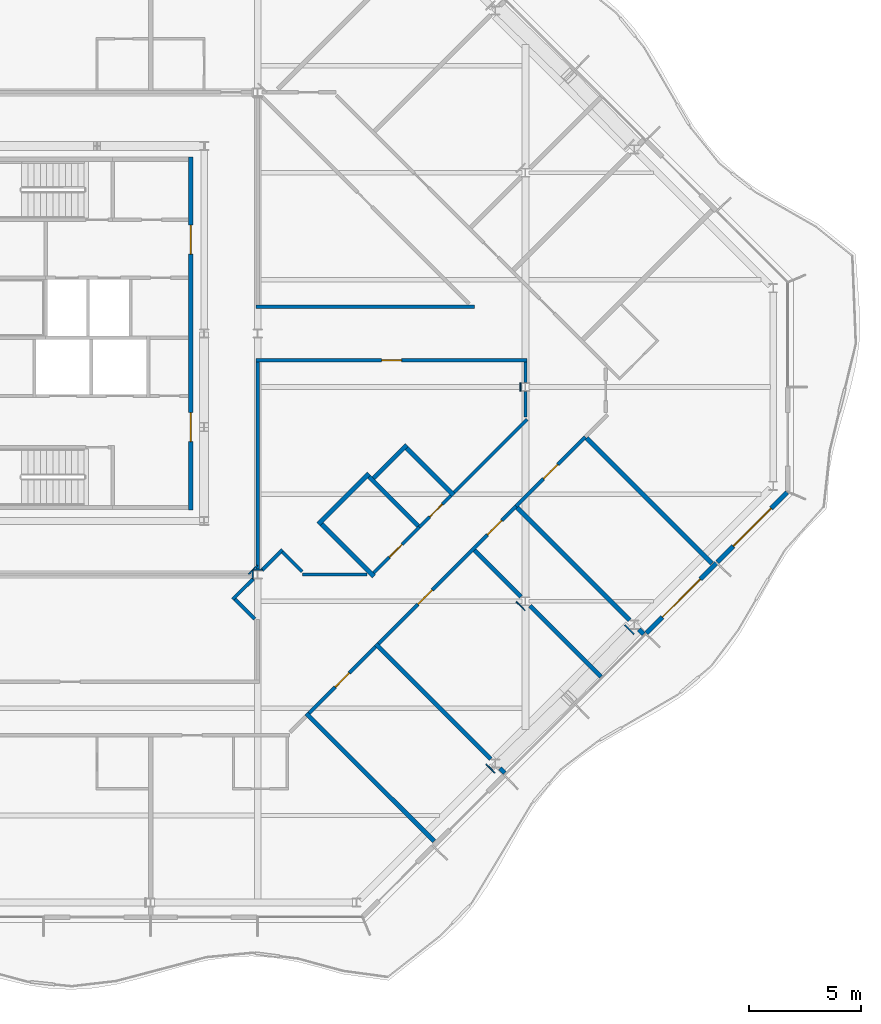
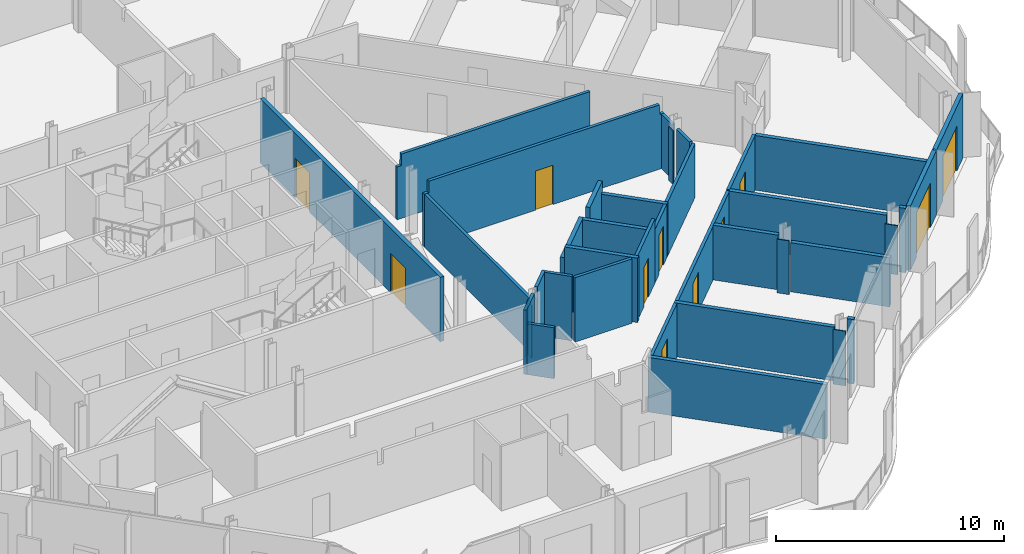
# One storey, part 9 of 17: 39 walls, 11 doors, 11 openings.
"""IFC4 building model written with IfcOpenShell, lengths in metres."""

from ifc_helpers import new_model, si_unit, direction, frame, frame_2d, origin, place, context, subcontext, project, spatial, polyline, rectangle, outline, extrude, material, layer, layer_set, type_object, element, fill, save


model = new_model("IFC4")

# Units and contexts
model_context = context("Model", 3, precision=1e-05, world=origin(), true_north=direction((0.0, 1.0)))
body_context = subcontext(model_context, "Body", "Model", "MODEL_VIEW")
ifc_project = project(units=[si_unit("LENGTHUNIT", "METRE"), si_unit("AREAUNIT", "SQUARE_METRE"), si_unit("VOLUMEUNIT", "CUBIC_METRE"), si_unit("PLANEANGLEUNIT", "RADIAN"), si_unit("MASSUNIT", "GRAM", prefix="KILO")], contexts=[model_context])

# Site, building, storey
site_placement = place(None, origin())
site = spatial("IfcSite", under=ifc_project, at=site_placement, CompositionType="ELEMENT")
building_placement = place(site_placement, origin())
building = spatial("IfcBuilding", under=site, at=building_placement, Name="Cairn Pilgrim Tower", CompositionType="ELEMENT")
storey_placement = place(building_placement, frame((0.0, 0.0, 246.60009765625)))
storey = spatial("IfcBuildingStorey", under=building, at=storey_placement, Name="L63", CompositionType="ELEMENT", Elevation=246.60009765625)

# Wall, opening, door
ifc_material_1 = material(Name="Bronze anodised aluminium insulated sandwich panel with mineral wool fill", Category="aluminium")
ifc_layer_1 = layer(ifc_material_1, 0.199951171875)
ifc_layer_set_1 = layer_set([ifc_layer_1], Name="BRONZE INFILL FRAME WALL 200")
wall_type_1 = type_object("IfcWallType", Name="BRONZE INFILL FRAME WALL 200", PredefinedType="NOTDEFINED", material=ifc_layer_set_1)
wall_1_placement = place(storey_placement, frame((36.6201171875, -11.0263671875, 0.0), z_axis=(0.0, 0.0, 1.0), x_axis=(0.707106781187, 0.707106781187, 0.0)))
wall_1 = element("IfcWall", 1, at=wall_1_placement, inside=storey, type_object=wall_type_1, Name="Bronze infill frame wall IW-SE5", PredefinedType="NOTDEFINED", context=body_context, shape_type="SweptSolid", body=[
    extrude(rectangle(XDim=4.430908203125, YDim=0.199951171875, at=frame_2d((2.21533203125, 0.0))), origin(), (0.0, 0.0, 1.0), 3.449951171875),
])
opening_1_placement = place(wall_1_placement, frame((1.01513671875, 0.0, 0.0)))
opening_1 = element("IfcOpeningElement", 2, at=opening_1_placement, cuts=wall_1, Name="Opening 6305B", PredefinedType="OPENING", context=body_context, shape_type="SweptSolid", body=[
    extrude(rectangle(XDim=2.39990234375, YDim=2.39990234375, at=frame_2d((1.199951171875, 1.199951171875))), frame((0.0, 0.10986328125, 0.0), z_axis=(0.0, -1.0, 0.0), x_axis=(1.0, 0.0, 0.0)), (0.0, 0.0, 1.0), 0.219970703125),
])
ifc_material_2 = material(Name="Bronze anodised aluminium frame with tinted low-E glass", Category="aluminium")
door_type_1 = type_object("IfcDoorType", Name="BALCONY SLIDING DOOR 2400x2400", OperationType="DOUBLE_DOOR_SLIDING", PredefinedType="DOOR", material=ifc_material_2)
door_1_placement = place(opening_1_placement, origin())
door_1 = element("IfcDoor", 3, at=door_1_placement, inside=storey, type_object=door_type_1, Name="Balcony sliding door 6305B", OperationType="SINGLE_SWING_LEFT", OverallHeight=2.39990234375, OverallWidth=2.39990234375, PredefinedType="DOOR", context=body_context, shape_type="SweptSolid", body=[
    extrude(rectangle(XDim=2.39990234375, YDim=2.39990234375, at=frame_2d((1.199951171875, 1.199951171875))), frame((0.0, 0.02490234375, 0.0), z_axis=(0.0, -1.0, 0.0), x_axis=(1.0, 0.0, 0.0)), (0.0, 0.0, 1.0), 0.050048828125),
])
fill(opening_1, door_1)

wall_2_placement = place(storey_placement, frame((39.795654296875, -7.850830078125, 0.0), z_axis=(0.0, 0.0, 1.0), x_axis=(0.707079168996, 0.707134392299, 0.0)))
wall_2 = element("IfcWall", 4, at=wall_2_placement, inside=storey, type_object=wall_type_1, Name="Bronze infill frame wall IW-SE6", PredefinedType="NOTDEFINED", context=body_context, shape_type="SweptSolid", body=[
    extrude(rectangle(XDim=4.4208984375, YDim=0.199951171875, at=frame_2d((2.21044921875, 0.0))), origin(), (0.0, 0.0, 1.0), 3.449951171875),
])
opening_2_placement = place(wall_2_placement, frame((1.015625, 0.0, 0.0)))
opening_2 = element("IfcOpeningElement", 5, at=opening_2_placement, cuts=wall_2, Name="Opening 6306B2", PredefinedType="OPENING", context=body_context, shape_type="SweptSolid", body=[
    extrude(rectangle(XDim=2.39990234375, YDim=2.39990234375, at=frame_2d((1.199951171875, 1.199951171875))), frame((0.0, 0.10986328125, 0.0), z_axis=(0.0, -1.0, 0.0), x_axis=(1.0, 0.0, 0.0)), (0.0, 0.0, 1.0), 0.219970703125),
])
door_2_placement = place(opening_2_placement, origin())
door_2 = element("IfcDoor", 6, at=door_2_placement, inside=storey, type_object=door_type_1, Name="Balcony sliding door 6306B2", OperationType="SINGLE_SWING_LEFT", OverallHeight=2.39990234375, OverallWidth=2.39990234375, PredefinedType="DOOR", context=body_context, shape_type="SweptSolid", body=[
    extrude(rectangle(XDim=2.39990234375, YDim=2.39990234375, at=frame_2d((1.199951171875, 1.199951171875))), frame((0.0, 0.02490234375, 0.0), z_axis=(0.0, -1.0, 0.0), x_axis=(1.0, 0.0, 0.0)), (0.0, 0.0, 1.0), 0.050048828125),
])
fill(opening_2, door_2)

# Wall, openings, doors
ifc_material_3 = material(Name="Concrete C32/40", Category="concrete")
ifc_layer_2 = layer(ifc_material_3, 0.199951171875)
ifc_layer_set_2 = layer_set([ifc_layer_2], Name="CORE OUTER WALL 200 EI 120")
wall_type_2 = type_object("IfcWallType", Name="CORE OUTER WALL 200 EI 120", PredefinedType="SOLIDWALL", material=ifc_layer_set_2)
wall_3_placement = place(storey_placement, frame((16.199951171875, -5.5, 0.0), z_axis=(0.0, 0.0, 1.0), x_axis=(0.0, 1.0, 0.0)))
wall_3 = element("IfcWall", 7, at=wall_3_placement, inside=storey, type_object=wall_type_2, Name="CW:L63:V30", PredefinedType="SOLIDWALL", context=body_context, shape_type="SweptSolid", body=[
    extrude(rectangle(XDim=15.800048828125, YDim=0.199951171875, at=frame_2d((7.89990234375, 0.0))), origin(), (0.0, 0.0, 1.0), 3.449951171875),
])
opening_3_placement = place(wall_3_placement, frame((3.050048828125, 0.0, 0.0)))
opening_3 = element("IfcOpeningElement", 8, at=opening_3_placement, cuts=wall_3, Name="Opening CD-E1", PredefinedType="OPENING", context=body_context, shape_type="SweptSolid", body=[
    extrude(rectangle(XDim=1.300048828125, YDim=2.10009765625, at=frame_2d((0.64990234375, 1.050048828125))), frame((0.0, 0.10986328125, 0.0), z_axis=(0.0, -1.0, 0.0), x_axis=(1.0, 0.0, 0.0)), (0.0, 0.0, 1.0), 0.219970703125),
])
opening_4_placement = place(wall_3_placement, frame((11.449951171875, 0.0, 0.0)))
opening_4 = element("IfcOpeningElement", 9, at=opening_4_placement, cuts=wall_3, Name="Opening CD-E2", PredefinedType="OPENING", context=body_context, shape_type="SweptSolid", body=[
    extrude(rectangle(XDim=1.300048828125, YDim=2.10009765625, at=frame_2d((0.64990234375, 1.050048828125))), frame((0.0, 0.10986328125, 0.0), z_axis=(0.0, -1.0, 0.0), x_axis=(1.0, 0.0, 0.0)), (0.0, 0.0, 1.0), 0.219970703125),
])
ifc_material_4 = material(Name="Painted steel", Category="steel")
door_type_2 = type_object("IfcDoorType", Name="CORE LOBBY DOOR 1300x2100", OperationType="DOUBLE_DOOR_SINGLE_SWING", PredefinedType="DOOR", material=ifc_material_4)
door_3_placement = place(opening_3_placement, origin())
door_3 = element("IfcDoor", 10, at=door_3_placement, inside=storey, type_object=door_type_2, Name="CD-E1", OperationType="DOUBLE_DOOR_SINGLE_SWING", OverallHeight=2.10009765625, OverallWidth=1.300048828125, PredefinedType="DOOR", context=body_context, shape_type="SweptSolid", body=[
    extrude(rectangle(XDim=1.300048828125, YDim=2.10009765625, at=frame_2d((0.64990234375, 1.050048828125))), frame((0.0, 0.02490234375, 0.0), z_axis=(0.0, -1.0, 0.0), x_axis=(1.0, 0.0, 0.0)), (0.0, 0.0, 1.0), 0.050048828125),
])
fill(opening_3, door_3)
door_4_placement = place(opening_4_placement, origin())
door_4 = element("IfcDoor", 11, at=door_4_placement, inside=storey, type_object=door_type_2, Name="CD-E2", OperationType="DOUBLE_DOOR_SINGLE_SWING", OverallHeight=2.10009765625, OverallWidth=1.300048828125, PredefinedType="DOOR", context=body_context, shape_type="SweptSolid", body=[
    extrude(rectangle(XDim=1.300048828125, YDim=2.10009765625, at=frame_2d((0.64990234375, 1.050048828125))), frame((0.0, 0.02490234375, 0.0), z_axis=(0.0, -1.0, 0.0), x_axis=(1.0, 0.0, 0.0)), (0.0, 0.0, 1.0), 0.050048828125),
])
fill(opening_4, door_4)

# Wall, opening, door
ifc_material_5 = material(Name="Gypsum partition")
ifc_layer_3 = layer(ifc_material_5, 0.14990234375)
ifc_layer_set_3 = layer_set([ifc_layer_3], Name="PARTITION 150 DRYWALL EI 60")
wall_type_3 = type_object("IfcWallType", Name="PARTITION 150 DRYWALL EI 60", PredefinedType="PARTITIONING", material=ifc_layer_set_3)
wall_4_placement = place(storey_placement, frame((21.506591796875, -14.6142578125, 0.0), z_axis=(0.0, 0.0, 1.0), x_axis=(0.706990566745, 0.707222976531, 0.0)))
wall_4 = element("IfcWall", 12, at=wall_4_placement, inside=storey, type_object=wall_type_3, Name="PARTITION W013", PredefinedType="PARTITIONING", context=body_context, shape_type="SweptSolid", body=[
    extrude(rectangle(XDim=4.201904296875, YDim=0.14990234375, at=frame_2d((2.10107421875, 0.0))), origin(), (0.0, 0.0, 1.0), 2.8798828125),
])
opening_5_placement = place(wall_4_placement, frame((1.650634765625, 0.0, 0.0)))
opening_5 = element("IfcOpeningElement", 13, at=opening_5_placement, cuts=wall_4, Name="Opening 6302", PredefinedType="OPENING", context=body_context, shape_type="SweptSolid", body=[
    extrude(rectangle(XDim=0.89990234375, YDim=2.10009765625, at=frame_2d((0.449951171875, 1.050048828125))), frame((0.0, 0.0849609375, 0.0), z_axis=(0.0, -1.0, 0.0), x_axis=(1.0, 0.0, 0.0)), (0.0, 0.0, 1.0), 0.169921875),
])
ifc_material_6 = material(Name="Timber door leaf", Category="wood")
door_type_3 = type_object("IfcDoorType", Name="SERVICE DOOR 900x2100 FD30S", OperationType="NOTDEFINED", PredefinedType="DOOR", material=ifc_material_6)
door_5_placement = place(opening_5_placement, frame((0.89990234375, 0.0, 0.0), z_axis=(0.0, 0.0, 1.0), x_axis=(-1.0, 0.0, 0.0)))
door_5 = element("IfcDoor", 14, at=door_5_placement, inside=storey, type_object=door_type_3, Name="DOOR 6302", OperationType="SINGLE_SWING_RIGHT", OverallHeight=2.10009765625, OverallWidth=0.89990234375, PredefinedType="DOOR", context=body_context, shape_type="SweptSolid", body=[
    extrude(rectangle(XDim=0.89990234375, YDim=2.10009765625, at=frame_2d((0.449951171875, 1.050048828125))), frame((0.0, 0.02490234375, 0.0), z_axis=(0.0, -1.0, 0.0), x_axis=(1.0, 0.0, 0.0)), (0.0, 0.0, 1.0), 0.050048828125),
])
fill(opening_5, door_5)

# Wall, openings, doors
wall_5_placement = place(storey_placement, frame((24.61865234375, -11.501220703125, 0.0), z_axis=(0.0, 0.0, 1.0), x_axis=(0.707106781187, 0.707106781187, 0.0)))
wall_5 = element("IfcWall", 15, at=wall_5_placement, inside=storey, type_object=wall_type_3, Name="PARTITION W022", PredefinedType="PARTITIONING", context=body_context, shape_type="SweptSolid", body=[
    extrude(rectangle(XDim=8.7021484375, YDim=0.14990234375, at=frame_2d((4.35107421875, 0.0))), origin(), (0.0, 0.0, 1.0), 2.8798828125),
])
opening_6_placement = place(wall_5_placement, frame((2.4990234375, 0.0, 0.0)))
opening_6 = element("IfcOpeningElement", 16, at=opening_6_placement, cuts=wall_5, Name="Opening 6303", PredefinedType="OPENING", context=body_context, shape_type="SweptSolid", body=[
    extrude(rectangle(XDim=0.89990234375, YDim=2.10009765625, at=frame_2d((0.449951171875, 1.050048828125))), frame((0.0, 0.0849609375, 0.0), z_axis=(0.0, -1.0, 0.0), x_axis=(1.0, 0.0, 0.0)), (0.0, 0.0, 1.0), 0.169921875),
])
opening_7_placement = place(wall_5_placement, frame((6.900146484375, 0.0, 0.0)))
opening_7 = element("IfcOpeningElement", 17, at=opening_7_placement, cuts=wall_5, Name="Opening 6304", PredefinedType="OPENING", context=body_context, shape_type="SweptSolid", body=[
    extrude(rectangle(XDim=0.89990234375, YDim=2.10009765625, at=frame_2d((0.449951171875, 1.050048828125))), frame((0.0, 0.0849609375, 0.0), z_axis=(0.0, -1.0, 0.0), x_axis=(1.0, 0.0, 0.0)), (0.0, 0.0, 1.0), 0.169921875),
])
door_6_placement = place(opening_6_placement, frame((0.89990234375, 0.0, 0.0), z_axis=(0.0, 0.0, 1.0), x_axis=(-1.0, 0.0, 0.0)))
door_6 = element("IfcDoor", 18, at=door_6_placement, inside=storey, type_object=door_type_3, Name="DOOR 6303", OperationType="SINGLE_SWING_RIGHT", OverallHeight=2.10009765625, OverallWidth=0.89990234375, PredefinedType="DOOR", context=body_context, shape_type="SweptSolid", body=[
    extrude(rectangle(XDim=0.89990234375, YDim=2.10009765625, at=frame_2d((0.449951171875, 1.050048828125))), frame((0.0, 0.02490234375, 0.0), z_axis=(0.0, -1.0, 0.0), x_axis=(1.0, 0.0, 0.0)), (0.0, 0.0, 1.0), 0.050048828125),
])
fill(opening_6, door_6)
door_7_placement = place(opening_7_placement, frame((0.89990234375, 0.0, 0.0), z_axis=(0.0, 0.0, 1.0), x_axis=(-1.0, 0.0, 0.0)))
door_7 = element("IfcDoor", 19, at=door_7_placement, inside=storey, type_object=door_type_3, Name="DOOR 6304", OperationType="SINGLE_SWING_RIGHT", OverallHeight=2.10009765625, OverallWidth=0.89990234375, PredefinedType="DOOR", context=body_context, shape_type="SweptSolid", body=[
    extrude(rectangle(XDim=0.89990234375, YDim=2.10009765625, at=frame_2d((0.449951171875, 1.050048828125))), frame((0.0, 0.02490234375, 0.0), z_axis=(0.0, -1.0, 0.0), x_axis=(1.0, 0.0, 0.0)), (0.0, 0.0, 1.0), 0.050048828125),
])
fill(opening_7, door_7)

# Walls
wall_6_placement = place(storey_placement, frame((19.072021484375, -10.39306640625, 0.0), z_axis=(0.0, 0.0, 1.0), x_axis=(-0.70740114323, 0.706812296552, 0.0)))
element("IfcWall", 20, at=wall_6_placement, inside=storey, type_object=wall_type_3, Name="PARTITION W025", PredefinedType="PARTITIONING", context=body_context, shape_type="SweptSolid", body=[
    extrude(rectangle(XDim=1.243896484375, YDim=0.14990234375, at=frame_2d((0.6220703125, 0.0))), origin(), (0.0, 0.0, 1.0), 2.72998046875),
])
wall_7_placement = place(storey_placement, frame((18.0859375, -9.513916015625, 0.0), z_axis=(0.0, 0.0, 1.0), x_axis=(0.707200419109, 0.707013130862, 0.0)))
element("IfcWall", 21, at=wall_7_placement, inside=storey, type_object=wall_type_3, Name="PARTITION W027", PredefinedType="PARTITIONING", context=body_context, shape_type="SweptSolid", body=[
    extrude(rectangle(XDim=1.303466796875, YDim=0.14990234375, at=frame_2d((0.65185546875, 0.0))), origin(), (0.0, 0.0, 1.0), 3.449951171875),
])
wall_8_placement = place(storey_placement, frame((21.215087890625, -8.39990234375, 0.0), z_axis=(0.0, 0.0, 1.0), x_axis=(1.0, 0.0, 0.0)))
element("IfcWall", 22, at=wall_8_placement, inside=storey, type_object=wall_type_3, Name="PARTITION W033", PredefinedType="PARTITIONING", context=body_context, shape_type="SweptSolid", body=[
    extrude(rectangle(XDim=2.89453125, YDim=0.14990234375, at=frame_2d((1.447265625, 0.0))), origin(), (0.0, 0.0, 1.0), 3.449951171875),
])
wall_9_placement = place(storey_placement, frame((21.193115234375, -8.27197265625, 0.0), z_axis=(0.0, 0.0, 1.0), x_axis=(-0.706812296552, 0.70740114323, 0.0)))
element("IfcWall", 23, at=wall_9_placement, inside=storey, type_object=wall_type_3, Name="PARTITION W034", PredefinedType="PARTITIONING", context=body_context, shape_type="SweptSolid", body=[
    extrude(rectangle(XDim=1.243896484375, YDim=0.14990234375, at=frame_2d((0.6220703125, 0.0))), origin(), (0.0, 0.0, 1.0), 3.449951171875),
])

# Wall, opening, door
wall_10_placement = place(storey_placement, frame((24.396728515625, -8.329345703125, 0.0), z_axis=(0.0, 0.0, 1.0), x_axis=(0.707275119896, 0.706938402391, 0.0)))
wall_10 = element("IfcWall", 24, at=wall_10_placement, inside=storey, type_object=wall_type_3, Name="PARTITION W035", PredefinedType="PARTITIONING", context=body_context, shape_type="SweptSolid", body=[
    extrude(rectangle(XDim=2.900146484375, YDim=0.14990234375, at=frame_2d((1.4501953125, 0.0))), origin(), (0.0, 0.0, 1.0), 3.449951171875),
])
opening_8_placement = place(wall_10_placement, frame((1.0, 0.0, 0.0)))
opening_8 = element("IfcOpeningElement", 25, at=opening_8_placement, cuts=wall_10, Name="Opening 6316", PredefinedType="OPENING", context=body_context, shape_type="SweptSolid", body=[
    extrude(rectangle(XDim=0.800048828125, YDim=2.10009765625, at=frame_2d((0.39990234375, 1.050048828125))), frame((0.0, 0.0849609375, 0.0), z_axis=(0.0, -1.0, 0.0), x_axis=(1.0, 0.0, 0.0)), (0.0, 0.0, 1.0), 0.169921875),
])
door_type_4 = type_object("IfcDoorType", Name="WC DOOR 800x2100 FD30S", OperationType="NOTDEFINED", PredefinedType="DOOR", material=ifc_material_6)
door_8_placement = place(opening_8_placement, origin())
door_8 = element("IfcDoor", 26, at=door_8_placement, inside=storey, type_object=door_type_4, Name="DOOR 6316", OperationType="SINGLE_SWING_LEFT", OverallHeight=2.10009765625, OverallWidth=0.800048828125, PredefinedType="DOOR", context=body_context, shape_type="SweptSolid", body=[
    extrude(rectangle(XDim=0.800048828125, YDim=2.10009765625, at=frame_2d((0.39990234375, 1.050048828125))), frame((0.0, 0.02490234375, 0.0), z_axis=(0.0, -1.0, 0.0), x_axis=(1.0, 0.0, 0.0)), (0.0, 0.0, 1.0), 0.050048828125),
])
fill(opening_8, door_8)

# Walls
wall_11_placement = place(storey_placement, frame((19.199951171875, -8.21240234375, 0.0), z_axis=(0.0, 0.0, 1.0), x_axis=(0.0, 1.0, 0.0)))
element("IfcWall", 27, at=wall_11_placement, inside=storey, type_object=wall_type_3, Name="PARTITION W037", PredefinedType="PARTITIONING", context=body_context, shape_type="SweptSolid", body=[
    extrude(rectangle(XDim=9.33740234375, YDim=0.14990234375, at=frame_2d((4.668701171875, 0.0))), origin(), (0.0, 0.0, 1.0), 2.829833984375),
])
wall_12_placement = place(storey_placement, frame((19.392333984375, -8.207763671875, 0.0), z_axis=(0.0, 0.0, 1.0), x_axis=(0.707106781187, 0.707106781187, 0.0)))
element("IfcWall", 28, at=wall_12_placement, inside=storey, type_object=wall_type_3, Name="PARTITION W038", PredefinedType="PARTITIONING", context=body_context, shape_type="SweptSolid", body=[
    extrude(rectangle(XDim=1.3037109375, YDim=0.14990234375, at=frame_2d((0.65185546875, 0.0))), origin(), (0.0, 0.0, 1.0), 3.449951171875),
])

# Wall, opening, door
wall_13_placement = place(storey_placement, frame((26.447998046875, -6.279052734375, 0.0), z_axis=(0.0, 0.0, 1.0), x_axis=(0.707106781187, 0.707106781187, 0.0)))
wall_13 = element("IfcWall", 29, at=wall_13_placement, inside=storey, type_object=wall_type_3, Name="PARTITION W040", PredefinedType="PARTITIONING", context=body_context, shape_type="SweptSolid", body=[
    extrude(rectangle(XDim=2.000244140625, YDim=0.14990234375, at=frame_2d((1.0, 0.0))), origin(), (0.0, 0.0, 1.0), 2.8798828125),
])
opening_9_placement = place(wall_13_placement, frame((0.64990234375, 0.0, 0.0)))
opening_9 = element("IfcOpeningElement", 30, at=opening_9_placement, cuts=wall_13, Name="Opening 6317", PredefinedType="OPENING", context=body_context, shape_type="SweptSolid", body=[
    extrude(rectangle(XDim=0.800048828125, YDim=2.10009765625, at=frame_2d((0.39990234375, 1.050048828125))), frame((0.0, 0.0849609375, 0.0), z_axis=(0.0, -1.0, 0.0), x_axis=(1.0, 0.0, 0.0)), (0.0, 0.0, 1.0), 0.169921875),
])
door_9_placement = place(opening_9_placement, origin())
door_9 = element("IfcDoor", 31, at=door_9_placement, inside=storey, type_object=door_type_4, Name="DOOR 6317", OperationType="SINGLE_SWING_LEFT", OverallHeight=2.10009765625, OverallWidth=0.800048828125, PredefinedType="DOOR", context=body_context, shape_type="SweptSolid", body=[
    extrude(rectangle(XDim=0.800048828125, YDim=2.10009765625, at=frame_2d((0.39990234375, 1.050048828125))), frame((0.0, 0.02490234375, 0.0), z_axis=(0.0, -1.0, 0.0), x_axis=(1.0, 0.0, 0.0)), (0.0, 0.0, 1.0), 0.050048828125),
])
fill(opening_9, door_9)

wall_14_placement = place(storey_placement, frame((30.77197265625, -5.347900390625, 0.0), z_axis=(0.0, 0.0, 1.0), x_axis=(0.70724543229, 0.706968102891, 0.0)))
wall_14 = element("IfcWall", 32, at=wall_14_placement, inside=storey, type_object=wall_type_3, Name="PARTITION W045", PredefinedType="PARTITIONING", context=body_context, shape_type="SweptSolid", body=[
    extrude(rectangle(XDim=4.401611328125, YDim=0.14990234375, at=frame_2d((2.20068359375, 0.0))), origin(), (0.0, 0.0, 1.0), 2.929931640625),
])
opening_10_placement = place(wall_14_placement, frame((1.750732421875, 0.0, 0.0)))
opening_10 = element("IfcOpeningElement", 33, at=opening_10_placement, cuts=wall_14, Name="Opening 6305", PredefinedType="OPENING", context=body_context, shape_type="SweptSolid", body=[
    extrude(rectangle(XDim=0.89990234375, YDim=2.10009765625, at=frame_2d((0.449951171875, 1.050048828125))), frame((0.0, 0.0849609375, 0.0), z_axis=(0.0, -1.0, 0.0), x_axis=(1.0, 0.0, 0.0)), (0.0, 0.0, 1.0), 0.169921875),
])
door_10_placement = place(opening_10_placement, frame((0.89990234375, 0.0, 0.0), z_axis=(0.0, 0.0, 1.0), x_axis=(-1.0, 0.0, 0.0)))
door_10 = element("IfcDoor", 34, at=door_10_placement, inside=storey, type_object=door_type_3, Name="DOOR 6305", OperationType="SINGLE_SWING_RIGHT", OverallHeight=2.10009765625, OverallWidth=0.89990234375, PredefinedType="DOOR", context=body_context, shape_type="SweptSolid", body=[
    extrude(rectangle(XDim=0.89990234375, YDim=2.10009765625, at=frame_2d((0.449951171875, 1.050048828125))), frame((0.0, 0.02490234375, 0.0), z_axis=(0.0, -1.0, 0.0), x_axis=(1.0, 0.0, 0.0)), (0.0, 0.0, 1.0), 0.050048828125),
])
fill(opening_10, door_10)

# Walls
wall_15_placement = place(storey_placement, frame((28.003662109375, -4.723388671875, 0.0), z_axis=(0.0, 0.0, 1.0), x_axis=(0.706974860744, 0.707238677022, 0.0)))
element("IfcWall", 35, at=wall_15_placement, inside=storey, type_object=wall_type_3, Name="PARTITION W047", PredefinedType="PARTITIONING", context=body_context, shape_type="SweptSolid", body=[
    extrude(rectangle(XDim=4.627197265625, YDim=0.14990234375, at=frame_2d((2.3134765625, 0.0))), origin(), (0.0, 0.0, 1.0), 2.8798828125),
])
wall_16_placement = place(storey_placement, frame((31.199951171875, -1.344970703125, 0.0), z_axis=(0.0, 0.0, 1.0), x_axis=(0.0, 1.0, 0.0)))
element("IfcWall", 36, at=wall_16_placement, inside=storey, type_object=wall_type_3, Name="PARTITION W051", PredefinedType="PARTITIONING", context=body_context, shape_type="SweptSolid", body=[
    extrude(rectangle(XDim=1.1484375, YDim=0.14990234375, at=frame_2d((0.57421875, 0.0))), origin(), (0.0, 0.0, 1.0), 2.929931640625),
])
wall_17_placement = place(storey_placement, frame((31.199951171875, 0.196533203125, 0.0), z_axis=(0.0, 0.0, 1.0), x_axis=(0.0, 1.0, 0.0)))
element("IfcWall", 37, at=wall_17_placement, inside=storey, type_object=wall_type_3, Name="PARTITION W053", PredefinedType="PARTITIONING", context=body_context, shape_type="SweptSolid", body=[
    extrude(rectangle(XDim=0.928466796875, YDim=0.14990234375, at=frame_2d((0.46435546875, 0.0))), origin(), (0.0, 0.0, 1.0), 2.929931640625),
])

# Wall, opening, door
wall_18_placement = place(storey_placement, frame((19.125, 1.199951171875, 0.0), z_axis=(0.0, 0.0, 1.0), x_axis=(1.0, 0.0, 0.0)))
wall_18 = element("IfcWall", 38, at=wall_18_placement, inside=storey, type_object=wall_type_3, Name="PARTITION W057", PredefinedType="PARTITIONING", context=body_context, shape_type="SweptSolid", body=[
    extrude(outline(polyline([(0.0, 0.0), (12.14990234375, 0.0), (12.14990234375, 2.929931640625), (11.925048828125, 2.929931640625), (11.923095703125, 3.449951171875), (0.22509765625, 3.449951171875), (0.222900390625, 2.829833984375), (0.0, 2.829833984375), (0.0, 0.0)])), frame((0.0, 0.074951171875, 0.0), z_axis=(0.0, -1.0, 0.0), x_axis=(1.0, 0.0, 0.0)), (0.0, 0.0, 1.0), 0.14990234375),
])
opening_11_placement = place(wall_18_placement, frame((5.625, 0.0, 0.0)))
opening_11 = element("IfcOpeningElement", 39, at=opening_11_placement, cuts=wall_18, Name="Opening 6318", PredefinedType="OPENING", context=body_context, shape_type="SweptSolid", body=[
    extrude(rectangle(XDim=0.89990234375, YDim=2.10009765625, at=frame_2d((0.449951171875, 1.050048828125))), frame((0.0, 0.0849609375, 0.0), z_axis=(0.0, -1.0, 0.0), x_axis=(1.0, 0.0, 0.0)), (0.0, 0.0, 1.0), 0.169921875),
])
door_11_placement = place(opening_11_placement, frame((0.89990234375, 0.0, 0.0), z_axis=(0.0, 0.0, 1.0), x_axis=(-1.0, 0.0, 0.0)))
door_11 = element("IfcDoor", 40, at=door_11_placement, inside=storey, type_object=door_type_3, Name="DOOR 6318", OperationType="SINGLE_SWING_LEFT", OverallHeight=2.10009765625, OverallWidth=0.89990234375, PredefinedType="DOOR", context=body_context, shape_type="SweptSolid", body=[
    extrude(rectangle(XDim=0.89990234375, YDim=2.10009765625, at=frame_2d((0.449951171875, 1.050048828125))), frame((0.0, 0.02490234375, 0.0), z_axis=(0.0, -1.0, 0.0), x_axis=(1.0, 0.0, 0.0)), (0.0, 0.0, 1.0), 0.050048828125),
])
fill(opening_11, door_11)

# Walls
wall_19_placement = place(storey_placement, frame((19.125, 3.60009765625, 0.0), z_axis=(0.0, 0.0, 1.0), x_axis=(1.0, 0.0, 0.0)))
element("IfcWall", 41, at=wall_19_placement, inside=storey, type_object=wall_type_3, Name="PARTITION W062", PredefinedType="PARTITIONING", context=body_context, shape_type="SweptSolid", body=[
    extrude(outline(polyline([(0.0, 0.0), (9.781005859375, 0.0), (9.781005859375, 3.449951171875), (0.22509765625, 3.449951171875), (0.222900390625, 2.829833984375), (0.0, 2.829833984375), (0.0, 0.0)])), frame((0.0, 0.074951171875, 0.0), z_axis=(0.0, -1.0, 0.0), x_axis=(1.0, 0.0, 0.0)), (0.0, 0.0, 1.0), 0.14990234375),
])
ifc_layer_4 = layer(ifc_material_5, 0.050048828125)
ifc_layer_set_4 = layer_set([ifc_layer_4], Name="PARTITION 50 DRYWALL EI 60")
wall_type_4 = type_object("IfcWallType", Name="PARTITION 50 DRYWALL EI 60", PredefinedType="PARTITIONING", material=ifc_layer_set_4)
wall_20_placement = place(storey_placement, frame((29.833740234375, -17.298828125, 0.0), z_axis=(0.0, 0.0, 1.0), x_axis=(-0.707106781187, 0.707106781187, 0.0)))
element("IfcWall", 42, at=wall_20_placement, inside=storey, type_object=wall_type_4, Name="COLUMN CASING WC02", PredefinedType="PARTITIONING", context=body_context, shape_type="SweptSolid", body=[
    extrude(rectangle(XDim=0.573486328125, YDim=0.050048828125, at=frame_2d((0.28662109375, 0.0))), origin(), (0.0, 0.0, 1.0), 2.929931640625),
])
wall_21_placement = place(storey_placement, frame((31.182373046875, -10.013671875, 0.0), z_axis=(0.0, 0.0, 1.0), x_axis=(-0.707106781187, 0.707106781187, 0.0)))
element("IfcWall", 43, at=wall_21_placement, inside=storey, type_object=wall_type_4, Name="COLUMN CASING WC03", PredefinedType="PARTITIONING", context=body_context, shape_type="SweptSolid", body=[
    extrude(rectangle(XDim=0.56005859375, YDim=0.050048828125, at=frame_2d((0.280029296875, 0.0))), origin(), (0.0, 0.0, 1.0), 2.8798828125),
])
wall_22_placement = place(storey_placement, frame((36.05810546875, -11.07470703125, 0.0), z_axis=(0.0, 0.0, 1.0), x_axis=(-0.707106781187, 0.707106781187, 0.0)))
element("IfcWall", 44, at=wall_22_placement, inside=storey, type_object=wall_type_4, Name="COLUMN CASING WC04", PredefinedType="PARTITIONING", context=body_context, shape_type="SweptSolid", body=[
    extrude(rectangle(XDim=0.573486328125, YDim=0.050048828125, at=frame_2d((0.28662109375, 0.0))), origin(), (0.0, 0.0, 1.0), 2.6298828125),
])
wall_23_placement = place(storey_placement, frame((18.7978515625, -8.38232421875, 0.0), z_axis=(0.0, 0.0, 1.0), x_axis=(0.707106781187, 0.707106781187, 0.0)))
element("IfcWall", 45, at=wall_23_placement, inside=storey, type_object=wall_type_4, Name="COLUMN CASING WC06", PredefinedType="PARTITIONING", context=body_context, shape_type="SweptSolid", body=[
    extrude(rectangle(XDim=0.543701171875, YDim=0.050048828125, at=frame_2d((0.27197265625, 0.0))), origin(), (0.0, 0.0, 1.0), 2.829833984375),
])
wall_24_placement = place(storey_placement, frame((19.0029296875, -8.1875, 0.0), z_axis=(0.0, 0.0, 1.0), x_axis=(1.0, 0.0, 0.0)))
element("IfcWall", 46, at=wall_24_placement, inside=storey, type_object=wall_type_4, Name="COLUMN CASING WC11", PredefinedType="PARTITIONING", context=body_context, shape_type="SweptSolid", body=[
    extrude(rectangle(XDim=0.39404296875, YDim=0.050048828125, at=frame_2d((0.197021484375, 0.0))), origin(), (0.0, 0.0, 1.0), 2.829833984375),
])
wall_25_placement = place(storey_placement, frame((18.97802734375, -8.58740234375, 0.0), z_axis=(0.0, 0.0, 1.0), x_axis=(0.0, 1.0, 0.0)))
element("IfcWall", 47, at=wall_25_placement, inside=storey, type_object=wall_type_4, Name="COLUMN CASING WC12", PredefinedType="PARTITIONING", context=body_context, shape_type="SweptSolid", body=[
    extrude(rectangle(XDim=0.375, YDim=0.050048828125, at=frame_2d((0.1875, 0.0))), origin(), (0.0, 0.0, 1.0), 2.829833984375),
])
wall_26_placement = place(storey_placement, frame((30.9755859375, -0.196533203125, 0.0), z_axis=(0.0, 0.0, 1.0), x_axis=(0.0, 1.0, 0.0)))
element("IfcWall", 48, at=wall_26_placement, inside=storey, type_object=wall_type_4, Name="COLUMN CASING WC13", PredefinedType="PARTITIONING", context=body_context, shape_type="SweptSolid", body=[
    extrude(rectangle(XDim=0.39306640625, YDim=0.050048828125, at=frame_2d((0.196533203125, 0.0))), origin(), (0.0, 0.0, 1.0), 2.8798828125),
])
ifc_layer_5 = layer(ifc_material_5, 0.199951171875)
ifc_layer_set_5 = layer_set([ifc_layer_5], Name="SHAFT WALL 200 GYPSUM EI 60")
wall_type_5 = type_object("IfcWallType", Name="SHAFT WALL 200 GYPSUM EI 60", PredefinedType="PARTITIONING", material=ifc_layer_set_5)
wall_27_placement = place(storey_placement, frame((27.107421875, -20.355224609375, 0.0), z_axis=(0.0, 0.0, 1.0), x_axis=(-0.707182179369, 0.707031374964, 0.0)))
element("IfcWall", 49, at=wall_27_placement, inside=storey, type_object=wall_type_5, Name="PARTITION W003", PredefinedType="PARTITIONING", context=body_context, shape_type="SweptSolid", body=[
    extrude(rectangle(XDim=8.0947265625, YDim=0.199951171875, at=frame_2d((4.04736328125, 0.0))), origin(), (0.0, 0.0, 1.0), 2.929931640625),
])
wall_28_placement = place(storey_placement, frame((30.268798828125, -17.292724609375, 0.0), z_axis=(0.0, 0.0, 1.0), x_axis=(-0.707509117806, 0.706704215511, 0.0)))
element("IfcWall", 50, at=wall_28_placement, inside=storey, type_object=wall_type_5, Name="PARTITION W009", PredefinedType="PARTITIONING", context=body_context, shape_type="SweptSolid", body=[
    extrude(rectangle(XDim=0.30322265625, YDim=0.199951171875, at=frame_2d((0.151611328125, 0.0))), origin(), (0.0, 0.0, 1.0), 3.449951171875),
])
wall_29_placement = place(storey_placement, frame((29.64892578125, -16.6728515625, 0.0), z_axis=(0.0, 0.0, 1.0), x_axis=(-0.707106781187, 0.707106781187, 0.0)))
element("IfcWall", 51, at=wall_29_placement, inside=storey, type_object=wall_type_5, Name="PARTITION W010", PredefinedType="PARTITIONING", context=body_context, shape_type="SweptSolid", body=[
    extrude(rectangle(XDim=7.28857421875, YDim=0.199951171875, at=frame_2d((3.644287109375, 0.0))), origin(), (0.0, 0.0, 1.0), 2.8798828125),
])
wall_30_placement = place(storey_placement, frame((34.580810546875, -12.980712890625, 0.0), z_axis=(0.0, 0.0, 1.0), x_axis=(-0.707133900936, 0.707079660397, 0.0)))
element("IfcWall", 52, at=wall_30_placement, inside=storey, type_object=wall_type_5, Name="PARTITION W021", PredefinedType="PARTITIONING", context=body_context, shape_type="SweptSolid", body=[
    extrude(rectangle(XDim=4.5009765625, YDim=0.199951171875, at=frame_2d((2.25048828125, 0.0))), origin(), (0.0, 0.0, 1.0), 2.6298828125),
])
wall_31_placement = place(storey_placement, frame((36.492919921875, -11.06884765625, 0.0), z_axis=(0.0, 0.0, 1.0), x_axis=(-0.707106781187, 0.707106781187, 0.0)))
element("IfcWall", 53, at=wall_31_placement, inside=storey, type_object=wall_type_5, Name="PARTITION W023", PredefinedType="PARTITIONING", context=body_context, shape_type="SweptSolid", body=[
    extrude(rectangle(XDim=0.303466796875, YDim=0.199951171875, at=frame_2d((0.15185546875, 0.0))), origin(), (0.0, 0.0, 1.0), 3.449951171875),
])
wall_32_placement = place(storey_placement, frame((35.872802734375, -10.448974609375, 0.0), z_axis=(0.0, 0.0, 1.0), x_axis=(-0.707089680867, 0.707123881093, 0.0)))
element("IfcWall", 54, at=wall_32_placement, inside=storey, type_object=wall_type_5, Name="PARTITION W026", PredefinedType="PARTITIONING", context=body_context, shape_type="SweptSolid", body=[
    extrude(rectangle(XDim=7.138671875, YDim=0.199951171875, at=frame_2d((3.5693359375, 0.0))), origin(), (0.0, 0.0, 1.0), 2.929931640625),
])
wall_33_placement = place(storey_placement, frame((31.001953125, -9.402099609375, 0.0), z_axis=(0.0, 0.0, 1.0), x_axis=(-0.707065460118, 0.70714809984, 0.0)))
element("IfcWall", 55, at=wall_33_placement, inside=storey, type_object=wall_type_5, Name="PARTITION W028", PredefinedType="PARTITIONING", context=body_context, shape_type="SweptSolid", body=[
    extrude(rectangle(XDim=2.954345703125, YDim=0.199951171875, at=frame_2d((1.47705078125, 0.0))), origin(), (0.0, 0.0, 1.0), 2.929931640625),
])
wall_34_placement = place(storey_placement, frame((24.408203125, -8.482421875, 0.0), z_axis=(0.0, 0.0, 1.0), x_axis=(-0.70692272029, 0.707290794184, 0.0)))
element("IfcWall", 56, at=wall_34_placement, inside=storey, type_object=wall_type_5, Name="PARTITION W029", PredefinedType="PARTITIONING", context=body_context, shape_type="SweptSolid", body=[
    extrude(rectangle(XDim=3.31640625, YDim=0.199951171875, at=frame_2d((1.658203125, 0.0))), origin(), (0.0, 0.0, 1.0), 3.449951171875),
])
wall_35_placement = place(storey_placement, frame((39.555419921875, -7.9072265625, 0.0), z_axis=(0.0, 0.0, 1.0), x_axis=(-0.707060685068, 0.7071528743, 0.0)))
element("IfcWall", 57, at=wall_35_placement, inside=storey, type_object=wall_type_5, Name="PARTITION W039", PredefinedType="PARTITIONING", context=body_context, shape_type="SweptSolid", body=[
    extrude(rectangle(XDim=7.94482421875, YDim=0.199951171875, at=frame_2d((3.972412109375, 0.0))), origin(), (0.0, 0.0, 1.0), 2.929931640625),
])
wall_36_placement = place(storey_placement, frame((26.39501953125, -6.22607421875, 0.0), z_axis=(0.0, 0.0, 1.0), x_axis=(-0.707067728538, 0.707145831678, 0.0)))
element("IfcWall", 58, at=wall_36_placement, inside=storey, type_object=wall_type_5, Name="PARTITION W041", PredefinedType="PARTITIONING", context=body_context, shape_type="SweptSolid", body=[
    extrude(rectangle(XDim=3.1259765625, YDim=0.199951171875, at=frame_2d((1.56298828125, 0.0))), origin(), (0.0, 0.0, 1.0), 2.8798828125),
])
wall_37_placement = place(storey_placement, frame((21.92236328125, -6.13671875, 0.0), z_axis=(0.0, 0.0, 1.0), x_axis=(0.707106781187, 0.707106781187, 0.0)))
element("IfcWall", 59, at=wall_37_placement, inside=storey, type_object=wall_type_5, Name="PARTITION W042", PredefinedType="PARTITIONING", context=body_context, shape_type="SweptSolid", body=[
    extrude(rectangle(XDim=3.19970703125, YDim=0.199951171875, at=frame_2d((1.599853515625, 0.0))), origin(), (0.0, 0.0, 1.0), 2.8798828125),
])
wall_38_placement = place(storey_placement, frame((27.986083984375, -4.846923828125, 0.0), z_axis=(0.0, 0.0, 1.0), x_axis=(-0.707147797851, 0.707065762143, 0.0)))
element("IfcWall", 60, at=wall_38_placement, inside=storey, type_object=wall_type_5, Name="PARTITION W046", PredefinedType="PARTITIONING", context=body_context, shape_type="SweptSolid", body=[
    extrude(rectangle(XDim=2.97607421875, YDim=0.199951171875, at=frame_2d((1.488037109375, 0.0))), origin(), (0.0, 0.0, 1.0), 2.8798828125),
])
wall_39_placement = place(storey_placement, frame((24.396728515625, -4.086181640625, 0.0), z_axis=(0.0, 0.0, 1.0), x_axis=(0.707106781187, 0.707106781187, 0.0)))
element("IfcWall", 61, at=wall_39_placement, inside=storey, type_object=wall_type_5, Name="PARTITION W048", PredefinedType="PARTITIONING", context=body_context, shape_type="SweptSolid", body=[
    extrude(rectangle(XDim=2.099853515625, YDim=0.199951171875, at=frame_2d((1.0498046875, 0.0))), origin(), (0.0, 0.0, 1.0), 3.449951171875),
])

save(model, "model.ifc")
